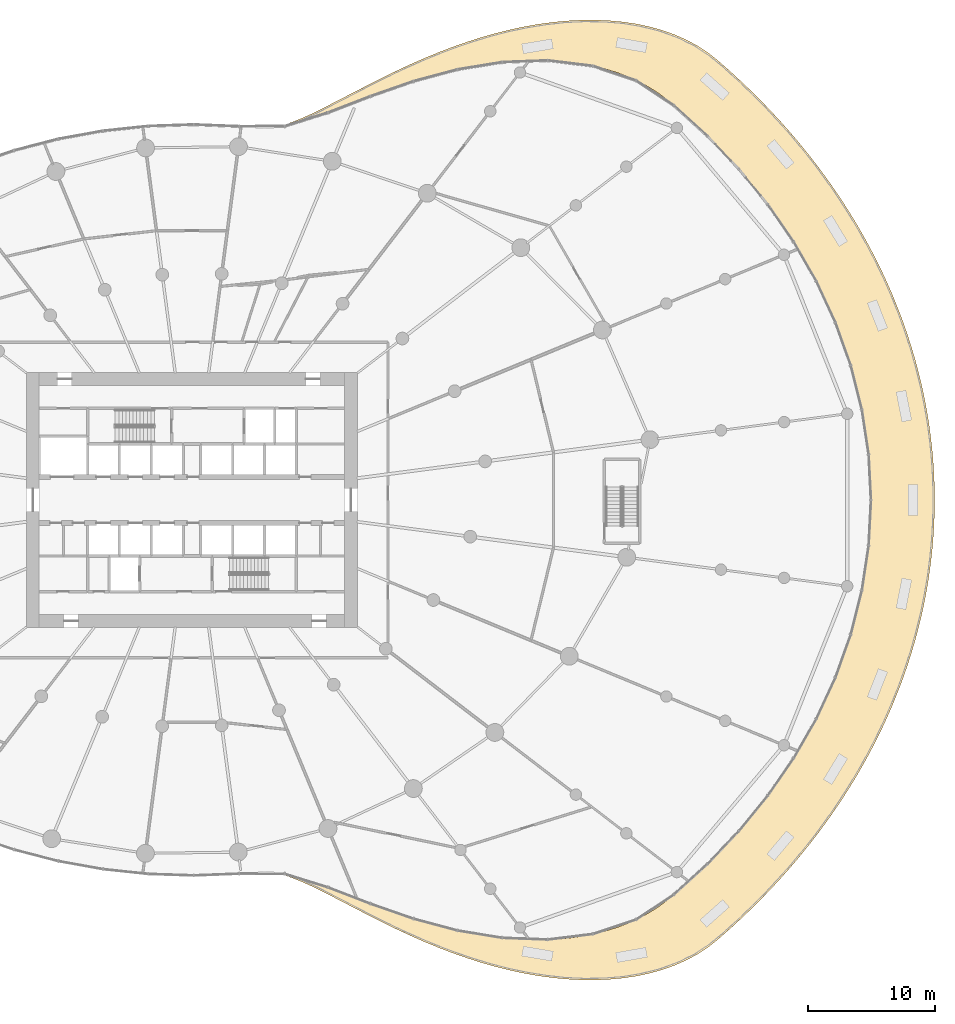
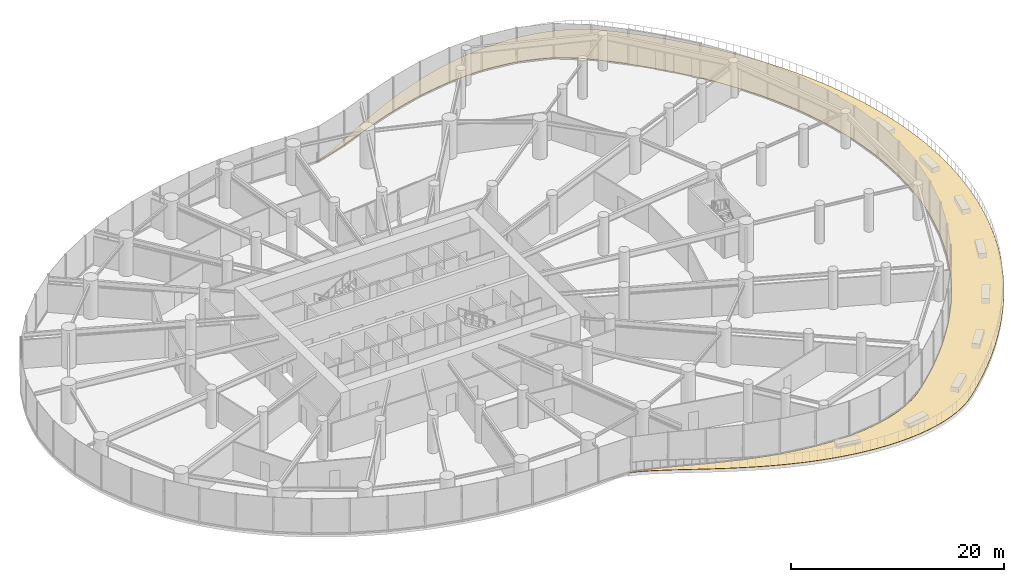
# One storey, part 22 of 24: 1 covering.
"""IFC4 building model written with IfcOpenShell, lengths in metres."""

import ifcopenshell
import ifcopenshell.guid

model = None  # the IFC model being written
_history = None  # IfcOwnerHistory: only IFC2X3 demands one
_inside = {}  # id of a spatial element -> (the spatial element, [elements in it])
_under = {}  # id of a project, library or spatial element -> (it, [spatial elements below it])
_declared = {}  # id of a project -> (the project, [libraries it declares])
_typed = {}  # id of a type object -> (the type object, [elements of that type])
_made_of = {}  # id of a material, layer set ... -> (it, [elements and type objects made of it])


def new_model(schema):
    """Start an empty IFC model of exactly this schema.

    Asked for "IFC4X3", IfcOpenShell would pick the latest addendum, in which some entities
    have other attributes; the version numbers below select the first issue.
    IFC2X3 requires an IfcOwnerHistory on every rooted entity: one is made here for all.
    """
    global model, _history
    if schema == "IFC4X3":
        model = ifcopenshell.file(schema_version=(4, 3, 0, 0))
    else:
        model = ifcopenshell.file(schema=schema)
    _inside.clear()
    _under.clear()
    _declared.clear()
    _typed.clear()
    _made_of.clear()
    _history = None
    if model.schema == "IFC2X3":
        org = make("IfcOrganization", Name="unknown")
        user = make(
            "IfcPersonAndOrganization",
            ThePerson=make("IfcPerson", FamilyName="unknown"),
            TheOrganization=org,
        )
        app = make(
            "IfcApplication",
            ApplicationDeveloper=org,
            Version="unknown",
            ApplicationFullName="unknown",
            ApplicationIdentifier="unknown",
        )
        _history = make(
            "IfcOwnerHistory",
            OwningUser=user,
            OwningApplication=app,
            ChangeAction="ADDED",
            CreationDate=0,
        )
    return model


def make(cls, **values):
    """One entity of the class cls with the attributes given. An attribute that is None is left unset."""
    return model.create_entity(
        cls, **{name: value for name, value in values.items() if value is not None}
    )


def rooted(cls, **values):
    """An entity with a GlobalId (a new one), such as an element, a storey or a relation."""
    return make(cls, GlobalId=ifcopenshell.guid.new(), OwnerHistory=_history, **values)


def si_unit(unit_type, name, prefix=None):
    """IfcSIUnit, for example si_unit("LENGTHUNIT", "METRE", prefix="MILLI")."""
    return make("IfcSIUnit", UnitType=unit_type, Prefix=prefix, Name=name)


def assignment(units):
    """IfcUnitAssignment: the units of a project."""
    return None if units is None else make("IfcUnitAssignment", Units=units)


def point(xyz):
    """IfcCartesianPoint."""
    return None if xyz is None else make("IfcCartesianPoint", Coordinates=xyz)


def direction(xyz):
    """IfcDirection."""
    return None if xyz is None else make("IfcDirection", DirectionRatios=xyz)


def frame(location, z_axis=None, x_axis=None):
    """IfcAxis2Placement3D, a coordinate frame: its origin and axes. An axis left out is left unset."""
    return make(
        "IfcAxis2Placement3D",
        Location=point(location),
        Axis=direction(z_axis),
        RefDirection=direction(x_axis),
    )


def origin():
    """The frame at (0, 0, 0) with its axes left unset."""
    return frame((0.0, 0.0, 0.0))


def place(relative_to, where):
    """IfcLocalPlacement: puts the frame where relative to a parent placement (None: the world)."""
    return make(
        "IfcLocalPlacement", PlacementRelTo=relative_to, RelativePlacement=where
    )


def context(
    kind, dimensions, precision=None, world=None, true_north=None, identifier=None
):
    """IfcGeometricRepresentationContext, for example the 3D "Model" context."""
    return make(
        "IfcGeometricRepresentationContext",
        ContextIdentifier=identifier,
        ContextType=kind,
        CoordinateSpaceDimension=dimensions,
        Precision=precision,
        WorldCoordinateSystem=world,
        TrueNorth=true_north,
    )


def subcontext(parent, identifier, kind, view, scale=None):
    """IfcGeometricRepresentationSubContext, for example "Body" below "Model"."""
    return make(
        "IfcGeometricRepresentationSubContext",
        ContextIdentifier=identifier,
        ContextType=kind,
        ParentContext=parent,
        TargetScale=scale,
        TargetView=view,
    )


def project(units=None, contexts=None):
    """IfcProject with its units and contexts."""
    return rooted(
        "IfcProject",
        Name="project",
        RepresentationContexts=contexts,
        UnitsInContext=assignment(units),
    )


def spatial(cls, under=None, at=None, **own):
    """A site, building, storey or space (cls), placed at a placement, below another one or the project."""
    s = rooted(cls, ObjectPlacement=at, **own)
    if under is not None:
        _under.setdefault(under.id(), (under, []))[1].append(s)
    return s


def point_list(points):
    """IfcCartesianPointList2D or 3D."""
    cls = (
        "IfcCartesianPointList2D" if len(points[0]) == 2 else "IfcCartesianPointList3D"
    )
    return make(cls, CoordList=points)


def line(*indices):
    """IfcLineIndex: a straight run through numbered points of an indexed curve."""
    return model.create_entity("IfcLineIndex", indices)


def indexed_curve(points, segments=None, self_intersect=None):
    """IfcIndexedPolyCurve: lines and arcs through numbered points (the first is 1)."""
    return make(
        "IfcIndexedPolyCurve",
        Points=point_list(points),
        Segments=segments,
        SelfIntersect=self_intersect,
    )


def outline(outer, holes=None, kind="AREA"):
    """IfcArbitraryClosedProfileDef: a profile drawn as a closed curve; with holes, ...WithVoids."""
    if holes is None:
        return make("IfcArbitraryClosedProfileDef", ProfileType=kind, OuterCurve=outer)
    return make(
        "IfcArbitraryProfileDefWithVoids",
        ProfileType=kind,
        OuterCurve=outer,
        InnerCurves=holes,
    )


def extrude(swept, where, along, depth):
    """IfcExtrudedAreaSolid: the profile swept, set in the frame where, extruded along a direction by depth."""
    return make(
        "IfcExtrudedAreaSolid",
        SweptArea=swept,
        Position=where,
        ExtrudedDirection=direction(along),
        Depth=depth,
    )


def shape(context_of_items, identifier, shape_type, items):
    """IfcShapeRepresentation: the items that make up one representation, for example the "Body"."""
    return make(
        "IfcShapeRepresentation",
        ContextOfItems=context_of_items,
        RepresentationIdentifier=identifier,
        RepresentationType=shape_type,
        Items=items,
    )


def material(Name=None, Category=None):
    """IfcMaterial."""
    return make("IfcMaterial", Name=Name, Category=Category)


def layer(
    of_material, thickness, ventilated=None, Name=None, Category=None, Priority=None
):
    """IfcMaterialLayer: one layer of a wall or slab, of a material (None: an air gap)."""
    return make(
        "IfcMaterialLayer",
        Material=of_material,
        LayerThickness=thickness,
        IsVentilated=ventilated,
        Name=Name,
        Category=Category,
        Priority=Priority,
    )


def layer_set(layers, Name=None):
    """IfcMaterialLayerSet."""
    return make("IfcMaterialLayerSet", MaterialLayers=layers, LayerSetName=Name)


def made_of(thing, what):
    """Note that an element or type object is made of a material, layer set ...; save() writes the relation."""
    if what is not None:
        _made_of.setdefault(what.id(), (what, []))[1].append(thing)
    return thing


def type_object(cls, material=None, **own):
    """A type object (cls), such as IfcWallType, which elements share."""
    return made_of(rooted(cls, **own), material)


def element(
    cls,
    number,
    at=None,
    inside=None,
    cuts=None,
    type_object=None,
    material=None,
    context=None,
    identifier="Body",
    shape_type=None,
    held_by="IfcProductDefinitionShape",
    body=None,
    shapes=None,
    **own,
):
    """One element of the class cls, such as IfcWall. Its Tag is "e" and its number.

    at: its placement. inside: the storey or other place that contains it. cuts: it is an
    opening in that element (IfcRelVoidsElement). A single representation is given by context,
    identifier, shape_type and body (its items); several are given by shapes. held_by: the class
    of the entity that holds the representations. save() writes the other relations.
    """
    e = rooted(cls, Tag="e%d" % number, ObjectPlacement=at, **own)
    if body is not None:
        shapes = [shape(context, identifier, shape_type, body)]
    if shapes is not None:
        e.Representation = make(held_by, Representations=shapes)
    if inside is not None:
        _inside.setdefault(inside.id(), (inside, []))[1].append(e)
    if cuts is not None:
        rooted(
            "IfcRelVoidsElement", RelatingBuildingElement=cuts, RelatedOpeningElement=e
        )
    if type_object is not None:
        _typed.setdefault(type_object.id(), (type_object, []))[1].append(e)
    return made_of(e, material)


def aggregate(whole, parts):
    """IfcRelAggregates: a whole, such as a stair, and the parts it consists of."""
    return rooted("IfcRelAggregates", RelatingObject=whole, RelatedObjects=parts)


def save(model, path):
    """Write the relations noted so far, then the file.

    IfcRelAggregates (storeys below a building ...), IfcRelContainedInSpatialStructure (elements
    in a storey), IfcRelDefinesByType, IfcRelAssociatesMaterial and IfcRelDeclares: one each for
    every whole, place, type object, material and project.
    """
    for whole, parts in _under.values():
        aggregate(whole, parts)
    for where, things in _inside.values():
        rooted(
            "IfcRelContainedInSpatialStructure",
            RelatedElements=things,
            RelatingStructure=where,
        )
    for kind, things in _typed.values():
        rooted("IfcRelDefinesByType", RelatedObjects=things, RelatingType=kind)
    for what, things in _made_of.values():
        rooted("IfcRelAssociatesMaterial", RelatedObjects=things, RelatingMaterial=what)
    for by, libraries in _declared.values():
        rooted("IfcRelDeclares", RelatingContext=by, RelatedDefinitions=libraries)
    model.write(path)


model = new_model("IFC4")

# Units and contexts
model_context = context("Model", 3, precision=1e-05, world=origin(), true_north=direction((0.0, 1.0)))
body_context = subcontext(model_context, "Body", "Model", "MODEL_VIEW")
ifc_project = project(units=[si_unit("LENGTHUNIT", "METRE"), si_unit("AREAUNIT", "SQUARE_METRE"), si_unit("VOLUMEUNIT", "CUBIC_METRE"), si_unit("PLANEANGLEUNIT", "RADIAN"), si_unit("MASSUNIT", "GRAM", prefix="KILO")], contexts=[model_context])

# Site, building, storey
site_placement = place(None, origin())
site = spatial("IfcSite", under=ifc_project, at=site_placement, CompositionType="ELEMENT")
building_placement = place(site_placement, origin())
building = spatial("IfcBuilding", under=site, at=building_placement, Name="Spindrift Exchange Tower", CompositionType="ELEMENT")
storey_placement = place(building_placement, frame((0.0, 0.0, 5.0)))
storey = spatial("IfcBuildingStorey", under=building, at=storey_placement, Name="L01", CompositionType="ELEMENT", Elevation=5.0)

# Covering
ifc_material = material(Name="Hardwood timber decking on pedestals", Category="wood")
ifc_layer = layer(ifc_material, 0.0400390625)
ifc_layer_set = layer_set([ifc_layer], Name="TERRACE DECKING 40")
covering_type = type_object("IfcCoveringType", Name="TERRACE DECKING 40", PredefinedType="FLOORING", material=ifc_layer_set)
covering_placement = place(storey_placement, origin())
element("IfcCovering", 1, at=covering_placement, inside=storey, type_object=covering_type, Name="L01 Terrace Decking 1", PredefinedType="FLOORING", context=body_context, shape_type="SweptSolid", body=[
    extrude(outline(indexed_curve([(59.0791015625, 77.3359375), (59.0419921875, 77.3447265625), (59.0224609375, 77.3720703125), (59.0244140625, 77.40625), (59.0478515625, 77.4296875), (59.359375, 77.515625), (59.9638671875, 77.72265625), (60.5947265625, 77.9755859375), (61.2548828125, 78.2685546875), (61.94140625, 78.59765625), (66.7177734375, 81.056640625), (68.556640625, 81.947265625), (69.521484375, 82.3857421875), (70.51171875, 82.814453125), (71.5263671875, 83.2265625), (72.56640625, 83.62109375), (73.626953125, 83.9921875), (74.705078125, 84.3359375), (75.7998046875, 84.6494140625), (76.908203125, 84.9296875), (78.02734375, 85.1708984375), (79.154296875, 85.373046875), (80.2802734375, 85.5302734375), (81.4072265625, 85.640625), (82.5302734375, 85.7021484375), (83.6435546875, 85.7119140625), (84.7431640625, 85.66796875), (85.8251953125, 85.568359375), (86.884765625, 85.4111328125), (87.916015625, 85.1943359375), (88.9150390625, 84.9169921875), (89.8759765625, 84.5791015625), (90.7939453125, 84.1787109375), (91.6640625, 83.7158203125), (92.478515625, 83.1904296875), (93.2373046875, 82.6005859375), (94.666015625, 81.3349609375), (96.060546875, 80.01171875), (96.7431640625, 79.3291015625), (98.0771484375, 77.9228515625), (99.3662109375, 76.4599609375), (100.6064453125, 74.9423828125), (101.79296875, 73.3701171875), (102.9208984375, 71.744140625), (103.462890625, 70.912109375), (103.9873046875, 70.06640625), (104.49609375, 69.208984375), (104.986328125, 68.3388671875), (105.458984375, 67.45703125), (105.9140625, 66.5634765625), (106.3486328125, 65.658203125), (106.7646484375, 64.7431640625), (107.16015625, 63.81640625), (107.5341796875, 62.8798828125), (107.8876953125, 61.93359375), (108.21875, 60.978515625), (108.5283203125, 60.0146484375), (108.8134765625, 59.0439453125), (109.0771484375, 58.0634765625), (109.3154296875, 57.0771484375), (109.53125, 56.0849609375), (109.7216796875, 55.087890625), (109.8876953125, 54.0849609375), (110.0283203125, 53.0771484375), (110.1435546875, 52.0654296875), (110.234375, 51.0517578125), (110.298828125, 50.03515625), (110.3369140625, 49.017578125), (110.349609375, 48.0009765625), (110.3369140625, 46.982421875), (110.298828125, 45.96484375), (110.2333984375, 44.947265625), (110.1435546875, 43.9345703125), (110.0283203125, 42.923828125), (109.8876953125, 41.916015625), (109.7216796875, 40.9130859375), (109.53125, 39.9150390625), (109.3154296875, 38.9228515625), (109.0771484375, 37.9365234375), (108.814453125, 36.95703125), (108.5283203125, 35.9853515625), (108.21875, 35.021484375), (107.8876953125, 34.06640625), (107.5341796875, 33.1201171875), (107.16015625, 32.18359375), (106.7646484375, 31.2568359375), (106.3486328125, 30.341796875), (105.9140625, 29.4365234375), (105.458984375, 28.54296875), (104.986328125, 27.6611328125), (104.49609375, 26.791015625), (103.9873046875, 25.93359375), (103.462890625, 25.087890625), (102.9208984375, 24.255859375), (101.79296875, 22.6298828125), (100.6064453125, 21.0576171875), (99.365234375, 19.5390625), (98.0771484375, 18.0771484375), (97.4150390625, 17.3662109375), (96.060546875, 15.98828125), (94.666015625, 14.666015625), (93.2353515625, 13.3984375), (92.478515625, 12.8095703125), (91.6640625, 12.2841796875), (90.7978515625, 11.8232421875), (89.8759765625, 11.4208984375), (88.9150390625, 11.0830078125), (87.9189453125, 10.806640625), (86.884765625, 10.5888671875), (85.8251953125, 10.431640625), (84.74609375, 10.33203125), (83.6435546875, 10.2880859375), (82.5302734375, 10.2978515625), (81.4091796875, 10.359375), (80.2802734375, 10.4697265625), (79.15234375, 10.626953125), (78.02734375, 10.8291015625), (76.908203125, 11.0703125), (75.8017578125, 11.349609375), (74.705078125, 11.6640625), (73.626953125, 12.0078125), (72.56640625, 12.37890625), (71.52734375, 12.7724609375), (70.51171875, 13.185546875), (69.5205078125, 13.6142578125), (67.6220703125, 14.4970703125), (65.8427734375, 15.3876953125), (62.6591796875, 17.0419921875), (61.2548828125, 17.7314453125), (60.595703125, 18.0244140625), (59.96484375, 18.27734375), (59.359375, 18.484375), (59.052734375, 18.568359375), (59.02734375, 18.58984375), (59.021484375, 18.623046875), (59.0419921875, 18.6552734375), (59.0791015625, 18.6640625), (59.9072265625, 18.4853515625), (60.5126953125, 18.31640625), (61.134765625, 18.119140625), (62.4501953125, 17.65234375), (66.14453125, 16.23046875), (67.7861328125, 15.6337890625), (69.5126953125, 15.0634765625), (70.4052734375, 14.7958984375), (71.31640625, 14.5439453125), (72.2421875, 14.3115234375), (73.1826171875, 14.1005859375), (74.134765625, 13.9150390625), (75.0966796875, 13.7568359375), (76.0673828125, 13.6279296875), (77.0419921875, 13.5322265625), (78.0185546875, 13.4716796875), (78.9951171875, 13.4482421875), (79.966796875, 13.462890625), (80.931640625, 13.51953125), (81.88671875, 13.6181640625), (82.8291015625, 13.7607421875), (83.751953125, 13.94921875), (84.65625, 14.1845703125), (85.5322265625, 14.466796875), (86.3828125, 14.7978515625), (87.197265625, 15.1767578125), (87.9755859375, 15.6064453125), (88.712890625, 16.0849609375), (89.4052734375, 16.6123046875), (90.7255859375, 17.744140625), (92.015625, 18.9267578125), (92.6474609375, 19.5380859375), (93.8837890625, 20.80078125), (95.080078125, 22.115234375), (96.232421875, 23.4814453125), (97.3369140625, 24.8994140625), (97.8701171875, 25.626953125), (98.89453125, 27.12109375), (99.384765625, 27.88671875), (100.318359375, 29.4521484375), (100.7607421875, 30.2529296875), (101.1865234375, 31.064453125), (101.59375, 31.88671875), (101.9833984375, 32.71875), (102.353515625, 33.5615234375), (102.705078125, 34.4140625), (103.0361328125, 35.275390625), (103.3466796875, 36.1455078125), (103.63671875, 37.0234375), (103.9052734375, 37.91015625), (104.15234375, 38.8046875), (104.3779296875, 39.7041015625), (104.580078125, 40.6103515625), (104.7587890625, 41.5224609375), (104.9150390625, 42.4384765625), (105.046875, 43.3583984375), (105.15625, 44.283203125), (105.240234375, 45.2099609375), (105.3017578125, 46.138671875), (105.337890625, 47.0693359375), (105.349609375, 48.0), (105.337890625, 48.9306640625), (105.3017578125, 49.861328125), (105.240234375, 50.7900390625), (105.15625, 51.716796875), (105.046875, 52.6416015625), (104.9150390625, 53.5615234375), (104.7587890625, 54.4775390625), (104.580078125, 55.3896484375), (104.376953125, 56.2958984375), (104.15234375, 57.1962890625), (103.9052734375, 58.08984375), (103.63671875, 58.9765625), (103.3466796875, 59.8544921875), (103.0361328125, 60.724609375), (102.705078125, 61.5859375), (102.353515625, 62.4384765625), (101.9833984375, 63.28125), (101.59375, 64.1142578125), (101.185546875, 64.9365234375), (100.7607421875, 65.7470703125), (100.318359375, 66.5478515625), (99.384765625, 68.11328125), (98.3896484375, 69.6318359375), (97.3369140625, 71.1005859375), (96.2333984375, 72.5185546875), (95.080078125, 73.884765625), (93.8837890625, 75.2001953125), (92.6474609375, 76.4609375), (91.375, 77.6708984375), (90.0693359375, 78.828125), (89.4052734375, 79.3876953125), (88.71484375, 79.9140625), (87.9755859375, 80.3935546875), (87.197265625, 80.8232421875), (86.3818359375, 81.203125), (85.5322265625, 81.533203125), (84.65625, 81.8154296875), (83.751953125, 82.05078125), (82.828125, 82.2392578125), (81.88671875, 82.3818359375), (80.931640625, 82.48046875), (79.966796875, 82.537109375), (78.994140625, 82.5517578125), (78.0185546875, 82.5283203125), (77.0419921875, 82.4677734375), (76.0673828125, 82.3720703125), (75.09765625, 82.2431640625), (74.1357421875, 82.0849609375), (73.1826171875, 81.8994140625), (72.2421875, 81.6884765625), (71.3154296875, 81.4560546875), (70.4052734375, 81.2041015625), (69.5126953125, 80.9365234375), (68.638671875, 80.65625), (66.9541015625, 80.0693359375), (61.7802734375, 78.103515625), (60.5107421875, 77.68359375), (59.9072265625, 77.5146484375)], segments=[line(1, 2, 3, 4, 5, 6, 7, 8, 9, 10, 11, 12, 13, 14, 15, 16, 17, 18, 19, 20, 21, 22, 23, 24, 25, 26, 27, 28, 29, 30, 31, 32, 33, 34, 35, 36, 37, 38, 39, 40, 41, 42, 43, 44, 45, 46, 47, 48, 49, 50, 51, 52, 53, 54, 55, 56, 57, 58, 59, 60, 61, 62, 63, 64, 65, 66, 67, 68, 69, 70, 71, 72, 73, 74, 75, 76, 77, 78, 79, 80, 81, 82, 83, 84, 85, 86, 87, 88, 89, 90, 91, 92, 93, 94, 95, 96, 97, 98, 99, 100, 101, 102, 103, 104, 105, 106, 107, 108, 109, 110, 111, 112, 113, 114, 115, 116, 117, 118, 119, 120, 121, 122, 123, 124, 125, 126, 127, 128, 129, 130, 131, 132, 133, 134, 135, 136, 137, 138, 139, 140, 141, 142, 143, 144, 145, 146, 147, 148, 149, 150, 151, 152, 153, 154, 155, 156, 157, 158, 159, 160, 161, 162, 163, 164, 165, 166, 167, 168, 169, 170, 171, 172, 173, 174, 175, 176, 177, 178, 179, 180, 181, 182, 183, 184, 185, 186, 187, 188, 189, 190, 191, 192, 193, 194, 195, 196, 197, 198, 199, 200, 201, 202, 203, 204, 205, 206, 207, 208, 209, 210, 211, 212, 213, 214, 215, 216, 217, 218, 219, 220, 221, 222, 223, 224, 225, 226, 227, 228, 229, 230, 231, 232, 233, 234, 235, 236, 237, 238, 239, 240, 241, 242, 243, 244, 245, 246, 247, 248, 249, 250, 251, 252, 253, 254, 255, 256, 1)], self_intersect=False)), origin(), (0.0, 0.0, 1.0), 0.0400390625),
])

save(model, "model.ifc")
